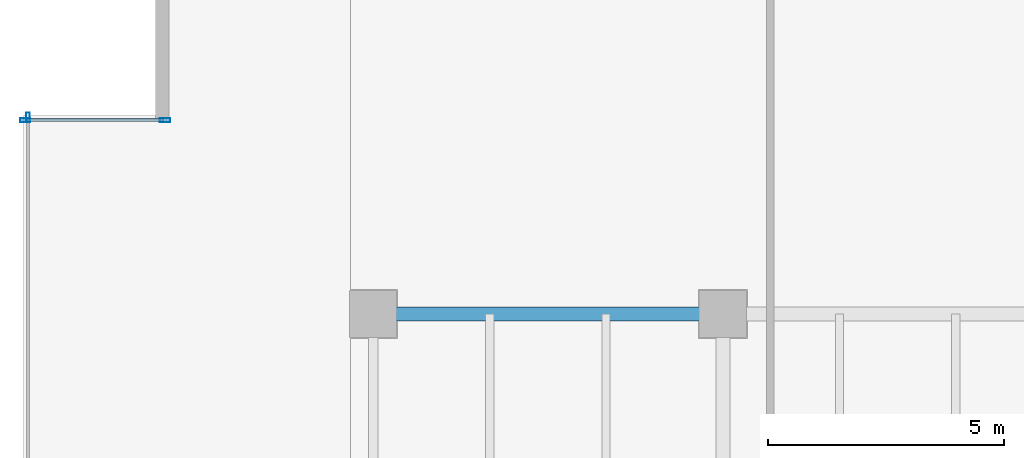
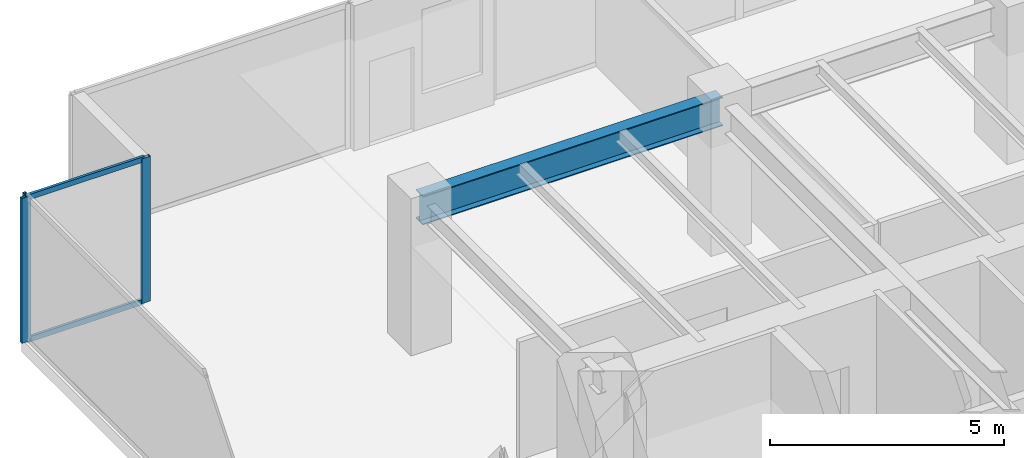
# One storey, part 13 of 32: 5 members, 1 beam, 2 elements without a shape of their own.
"""IFC4 building model written with IfcOpenShell, lengths in metres."""

from ifc_helpers import new_model, si_unit, direction, frame, origin, origin_2d, place, context, subcontext, project, spatial, hollow_rectangle, i_section, extrude, source, transform, mapped, material, layer, layer_set, material_profile, profile_set, type_object, type_shapes, element, aggregate, save


model = new_model("IFC4")

# Units and contexts
model_context = context("Model", 3, precision=1e-05, world=origin(), true_north=direction((0.0, 1.0)))
body_context = subcontext(model_context, "Body", "Model", "MODEL_VIEW")
ifc_project = project(units=[si_unit("LENGTHUNIT", "METRE"), si_unit("AREAUNIT", "SQUARE_METRE"), si_unit("VOLUMEUNIT", "CUBIC_METRE"), si_unit("PLANEANGLEUNIT", "RADIAN"), si_unit("MASSUNIT", "GRAM", prefix="KILO")], contexts=[model_context])

# Site, building, storey
site_placement = place(None, origin())
site = spatial("IfcSite", under=ifc_project, at=site_placement, CompositionType="ELEMENT")
building_placement = place(site_placement, origin())
building = spatial("IfcBuilding", under=site, at=building_placement, Name="Haelvirn Gate Laboratories", CompositionType="ELEMENT")
storey_placement = place(building_placement, frame((0.0, 0.0, 33.39990234375)))
storey = spatial("IfcBuildingStorey", under=building, at=storey_placement, Name="L08", CompositionType="ELEMENT", Elevation=33.39990234375)

# Beam
ifc_material_1 = material(Name="Steel SM355", Category="steel")
ifc_material_profile_1 = material_profile(ifc_material_1, i_section(OverallWidth=0.300048828125, OverallDepth=0.75, WebThickness=0.013916015625, FlangeThickness=0.02392578125, at=origin_2d()), Name="H-750x300x14x24")
ifc_profile_set_1 = profile_set([ifc_material_profile_1], Name="Steel SM355")
beam_type = type_object("IfcBeamType", Name="BM-G-750", PredefinedType="BEAM", material=ifc_profile_set_1)
shared_shape_1 = source(origin(), body_context, "Body", "SweptSolid", [
    extrude(i_section(OverallWidth=0.300048828125, OverallDepth=0.75, WebThickness=0.013916015625, FlangeThickness=0.02392578125, at=origin_2d()), origin(), (0.0, 0.0, 1.0), 7.400146484375),
])
type_shapes(beam_type, [shared_shape_1])
beam_placement = place(storey_placement, frame((7.39990234375, 41.60009765625, 3.405029296875), z_axis=(1.0, 0.0, 0.0), x_axis=(0.0, 1.0, 0.0)))
element("IfcBeam", 1, at=beam_placement, inside=storey, type_object=beam_type, Name="L08 Primary Girder Y41.6 (7.4-14.8)", PredefinedType="BEAM", context=body_context, shape_type="MappedRepresentation", body=[
    mapped(shared_shape_1, transform((0.0, 0.0, 0.0), scale=1.0)),
])

# Curtain wall, member
ifc_material_2 = material(Name="Anodised bronze unitised aluminium & triple low-E glass", Category="aluminium")
ifc_layer_1 = layer(ifc_material_2, 0.18408203125, Name="CW-SYS-2")
ifc_layer_set_1 = layer_set([ifc_layer_1], Name="Anodised bronze unitised aluminium & triple low-E glass")
curtain_wall_type_1 = type_object("IfcCurtainWallType", Name="CW-SYS-2", PredefinedType="NOTDEFINED", material=ifc_layer_set_1)
curtain_wall_1_placement = place(storey_placement, origin())
curtain_wall_1 = element("IfcCurtainWall", 2, at=curtain_wall_1_placement, inside=storey, type_object=curtain_wall_type_1, Name="L08 Unitised Curtain Wall CW-L08-P0-E17", PredefinedType="NOTDEFINED")
ifc_material_3 = material(Name="Extruded aluminium 6063-T6 (anodised bronze)", Category="aluminium")
ifc_material_profile_2 = material_profile(ifc_material_3, hollow_rectangle(XDim=0.074951171875, YDim=0.199951171875, WallThickness=0.0048828125, at=origin_2d()), Name="CWM-200x75x5")
ifc_profile_set_2 = profile_set([ifc_material_profile_2], Name="Extruded aluminium 6063-T6 (anodised bronze)")
member_type_1 = type_object("IfcMemberType", Name="CWM-T200", PredefinedType="MULLION", material=ifc_profile_set_2)
shared_shape_2 = source(origin(), body_context, "Body", "SweptSolid", [
    extrude(hollow_rectangle(XDim=0.074951171875, YDim=0.199951171875, WallThickness=0.0048828125, at=origin_2d()), origin(), (0.0, 0.0, 1.0), 3.780029296875),
])
type_shapes(member_type_1, [shared_shape_2])
member_1_placement = place(storey_placement, frame((0.10009765625, 45.762451171875, 0.0), z_axis=(0.0, 0.0, 1.0), x_axis=(1.0, 0.0, 0.0)))
member_1 = element("IfcMember", 3, at=member_1_placement, type_object=member_type_1, Name="CW2 mullion 1", PredefinedType="MULLION", context=body_context, shape_type="MappedRepresentation", body=[
    mapped(shared_shape_2, transform((0.0, 0.0, 0.0), scale=1.0)),
])
aggregate(curtain_wall_1, [member_1])

# Curtain wall, members
ifc_layer_2 = layer(ifc_material_2, 0.181884765625, Name="CW-SYS-5")
ifc_layer_set_2 = layer_set([ifc_layer_2], Name="Anodised bronze unitised aluminium & triple low-E glass")
curtain_wall_type_2 = type_object("IfcCurtainWallType", Name="CW-SYS-5", PredefinedType="NOTDEFINED", material=ifc_layer_set_2)
curtain_wall_2_placement = place(storey_placement, origin())
curtain_wall_2 = element("IfcCurtainWall", 4, at=curtain_wall_2_placement, inside=storey, type_object=curtain_wall_type_2, Name="L08 Unitised Curtain Wall CW-L08-P0-E16-1", PredefinedType="NOTDEFINED")
ifc_material_profile_3 = material_profile(ifc_material_3, hollow_rectangle(XDim=0.080078125, YDim=0.219970703125, WallThickness=0.006103515625, at=origin_2d()), Name="CWM-220x80x6")
ifc_profile_set_3 = profile_set([ifc_material_profile_3], Name="Extruded aluminium 6063-T6 (anodised bronze)")
member_type_2 = type_object("IfcMemberType", Name="CWM-T220", PredefinedType="MULLION", material=ifc_profile_set_3)
shared_shape_3 = source(origin(), body_context, "Body", "SweptSolid", [
    extrude(hollow_rectangle(XDim=0.080078125, YDim=0.219970703125, WallThickness=0.006103515625, at=origin_2d()), origin(), (0.0, 0.0, 1.0), 3.780029296875),
])
type_shapes(member_type_2, [shared_shape_3])
member_2_placement = place(storey_placement, frame((0.0400390625, 45.699951171875, 0.0), z_axis=(0.0, 0.0, 1.0), x_axis=(0.0, 1.0, 0.0)))
member_2 = element("IfcMember", 5, at=member_2_placement, type_object=member_type_2, Name="CW5 mullion 1", PredefinedType="MULLION", context=body_context, shape_type="MappedRepresentation", body=[
    mapped(shared_shape_3, transform((0.0, 0.0, 0.0), scale=1.0)),
])
member_3_placement = place(storey_placement, frame((3.0, 45.699951171875, 0.0), z_axis=(0.0, 0.0, 1.0), x_axis=(0.0, 1.0, 0.0)))
member_3 = element("IfcMember", 6, at=member_3_placement, type_object=member_type_2, Name="CW5 mullion 2", PredefinedType="MULLION", context=body_context, shape_type="MappedRepresentation", body=[
    mapped(shared_shape_3, transform((0.0, 0.0, 0.0), scale=1.0)),
])
ifc_material_profile_4 = material_profile(ifc_material_3, hollow_rectangle(XDim=0.06494140625, YDim=0.139892578125, WallThickness=0.00390625, at=origin_2d()), Name="CWT-140x65x4")
ifc_profile_set_4 = profile_set([ifc_material_profile_4], Name="Extruded aluminium 6063-T6 (anodised bronze)")
member_type_3 = type_object("IfcMemberType", Name="CWT-T140", PredefinedType="USERDEFINED", material=ifc_profile_set_4)
shared_shape_4 = source(origin(), body_context, "Body", "SweptSolid", [
    extrude(hollow_rectangle(XDim=0.06494140625, YDim=0.139892578125, WallThickness=0.00390625, at=origin_2d()), origin(), (0.0, 0.0, 1.0), 2.8798828125),
])
type_shapes(member_type_3, [shared_shape_4])
member_4_placement = place(storey_placement, frame((0.080078125, 45.699951171875, 0.03271484375), z_axis=(1.0, 0.0, 0.0), x_axis=(0.0, 1.0, 0.0)))
member_4 = element("IfcMember", 7, at=member_4_placement, type_object=member_type_3, Name="CW5 transom 1.1", ObjectType="TRANSOM", PredefinedType="USERDEFINED", context=body_context, shape_type="MappedRepresentation", body=[
    mapped(shared_shape_4, transform((0.0, 0.0, 0.0), scale=1.0)),
])
member_5_placement = place(storey_placement, frame((0.080078125, 45.699951171875, 3.74755859375), z_axis=(1.0, 0.0, 0.0), x_axis=(0.0, 1.0, 0.0)))
member_5 = element("IfcMember", 8, at=member_5_placement, type_object=member_type_3, Name="CW5 transom 1.2", ObjectType="TRANSOM", PredefinedType="USERDEFINED", context=body_context, shape_type="MappedRepresentation", body=[
    mapped(shared_shape_4, transform((0.0, 0.0, 0.0), scale=1.0)),
])
aggregate(curtain_wall_2, [member_2, member_3, member_4, member_5])

save(model, "model.ifc")
